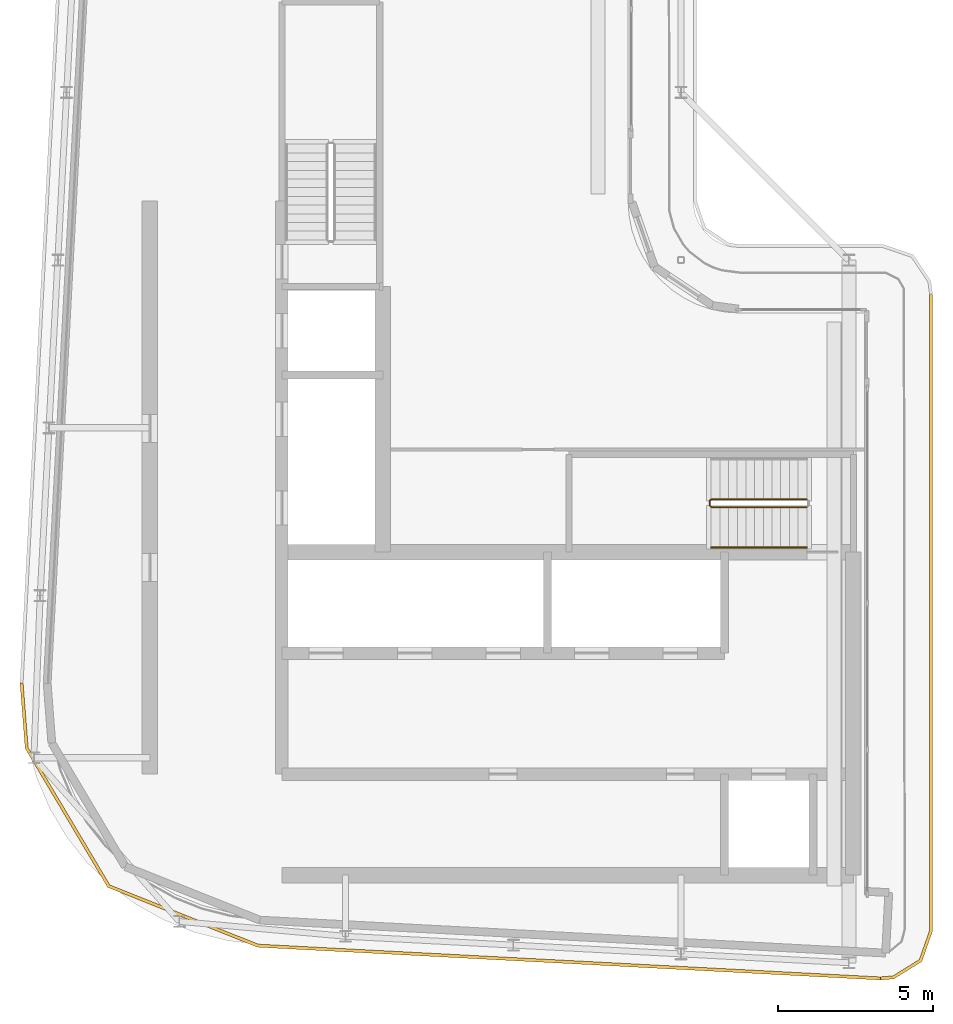
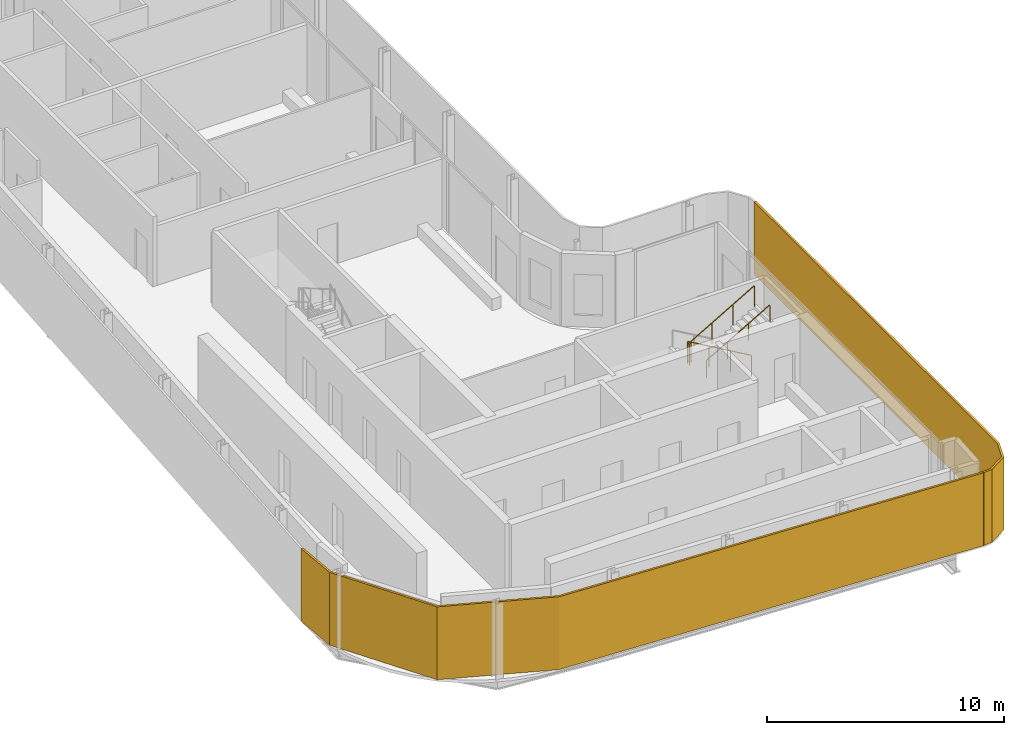
# One storey, part 13 of 18: 2 railings, 2 shading devices.
"""IFC4 building model written with IfcOpenShell, lengths in metres."""

import ifcopenshell
import ifcopenshell.guid

model = None  # the IFC model being written
_history = None  # IfcOwnerHistory: only IFC2X3 demands one
_inside = {}  # id of a spatial element -> (the spatial element, [elements in it])
_under = {}  # id of a project, library or spatial element -> (it, [spatial elements below it])
_declared = {}  # id of a project -> (the project, [libraries it declares])
_typed = {}  # id of a type object -> (the type object, [elements of that type])
_made_of = {}  # id of a material, layer set ... -> (it, [elements and type objects made of it])


def new_model(schema):
    """Start an empty IFC model of exactly this schema.

    Asked for "IFC4X3", IfcOpenShell would pick the latest addendum, in which some entities
    have other attributes; the version numbers below select the first issue.
    IFC2X3 requires an IfcOwnerHistory on every rooted entity: one is made here for all.
    """
    global model, _history
    if schema == "IFC4X3":
        model = ifcopenshell.file(schema_version=(4, 3, 0, 0))
    else:
        model = ifcopenshell.file(schema=schema)
    _inside.clear()
    _under.clear()
    _declared.clear()
    _typed.clear()
    _made_of.clear()
    _history = None
    if model.schema == "IFC2X3":
        org = make("IfcOrganization", Name="unknown")
        user = make(
            "IfcPersonAndOrganization",
            ThePerson=make("IfcPerson", FamilyName="unknown"),
            TheOrganization=org,
        )
        app = make(
            "IfcApplication",
            ApplicationDeveloper=org,
            Version="unknown",
            ApplicationFullName="unknown",
            ApplicationIdentifier="unknown",
        )
        _history = make(
            "IfcOwnerHistory",
            OwningUser=user,
            OwningApplication=app,
            ChangeAction="ADDED",
            CreationDate=0,
        )
    return model


def make(cls, **values):
    """One entity of the class cls with the attributes given. An attribute that is None is left unset."""
    return model.create_entity(
        cls, **{name: value for name, value in values.items() if value is not None}
    )


def rooted(cls, **values):
    """An entity with a GlobalId (a new one), such as an element, a storey or a relation."""
    return make(cls, GlobalId=ifcopenshell.guid.new(), OwnerHistory=_history, **values)


def si_unit(unit_type, name, prefix=None):
    """IfcSIUnit, for example si_unit("LENGTHUNIT", "METRE", prefix="MILLI")."""
    return make("IfcSIUnit", UnitType=unit_type, Prefix=prefix, Name=name)


def assignment(units):
    """IfcUnitAssignment: the units of a project."""
    return None if units is None else make("IfcUnitAssignment", Units=units)


def point(xyz):
    """IfcCartesianPoint."""
    return None if xyz is None else make("IfcCartesianPoint", Coordinates=xyz)


def direction(xyz):
    """IfcDirection."""
    return None if xyz is None else make("IfcDirection", DirectionRatios=xyz)


def frame(location, z_axis=None, x_axis=None):
    """IfcAxis2Placement3D, a coordinate frame: its origin and axes. An axis left out is left unset."""
    return make(
        "IfcAxis2Placement3D",
        Location=point(location),
        Axis=direction(z_axis),
        RefDirection=direction(x_axis),
    )


def frame_2d(location, x_axis=None):
    """IfcAxis2Placement2D, a coordinate frame in the plane: its origin and x axis."""
    return make(
        "IfcAxis2Placement2D", Location=point(location), RefDirection=direction(x_axis)
    )


def origin():
    """The frame at (0, 0, 0) with its axes left unset."""
    return frame((0.0, 0.0, 0.0))


def origin_2d():
    """The frame at (0, 0) in the plane with its x axis left unset."""
    return frame_2d((0.0, 0.0))


def place(relative_to, where):
    """IfcLocalPlacement: puts the frame where relative to a parent placement (None: the world)."""
    return make(
        "IfcLocalPlacement", PlacementRelTo=relative_to, RelativePlacement=where
    )


def context(
    kind, dimensions, precision=None, world=None, true_north=None, identifier=None
):
    """IfcGeometricRepresentationContext, for example the 3D "Model" context."""
    return make(
        "IfcGeometricRepresentationContext",
        ContextIdentifier=identifier,
        ContextType=kind,
        CoordinateSpaceDimension=dimensions,
        Precision=precision,
        WorldCoordinateSystem=world,
        TrueNorth=true_north,
    )


def subcontext(parent, identifier, kind, view, scale=None):
    """IfcGeometricRepresentationSubContext, for example "Body" below "Model"."""
    return make(
        "IfcGeometricRepresentationSubContext",
        ContextIdentifier=identifier,
        ContextType=kind,
        ParentContext=parent,
        TargetScale=scale,
        TargetView=view,
    )


def project(units=None, contexts=None):
    """IfcProject with its units and contexts."""
    return rooted(
        "IfcProject",
        Name="project",
        RepresentationContexts=contexts,
        UnitsInContext=assignment(units),
    )


def spatial(cls, under=None, at=None, **own):
    """A site, building, storey or space (cls), placed at a placement, below another one or the project."""
    s = rooted(cls, ObjectPlacement=at, **own)
    if under is not None:
        _under.setdefault(under.id(), (under, []))[1].append(s)
    return s


def polyline(points):
    """IfcPolyline through the points."""
    return make("IfcPolyline", Points=[point(p) for p in points])


def profile(cls, at=None, kind="AREA", **sizes):
    """A parametric profile (cls). Its sizes go by their IFC names, for example OverallWidth=200.0."""
    return make(cls, ProfileType=kind, Position=at, **sizes)


def circle(**sizes):
    """IfcCircleProfileDef."""
    return profile("IfcCircleProfileDef", **sizes)


def outline(outer, holes=None, kind="AREA"):
    """IfcArbitraryClosedProfileDef: a profile drawn as a closed curve; with holes, ...WithVoids."""
    if holes is None:
        return make("IfcArbitraryClosedProfileDef", ProfileType=kind, OuterCurve=outer)
    return make(
        "IfcArbitraryProfileDefWithVoids",
        ProfileType=kind,
        OuterCurve=outer,
        InnerCurves=holes,
    )


def extrude(swept, where, along, depth):
    """IfcExtrudedAreaSolid: the profile swept, set in the frame where, extruded along a direction by depth."""
    return make(
        "IfcExtrudedAreaSolid",
        SweptArea=swept,
        Position=where,
        ExtrudedDirection=direction(along),
        Depth=depth,
    )


def shape(context_of_items, identifier, shape_type, items):
    """IfcShapeRepresentation: the items that make up one representation, for example the "Body"."""
    return make(
        "IfcShapeRepresentation",
        ContextOfItems=context_of_items,
        RepresentationIdentifier=identifier,
        RepresentationType=shape_type,
        Items=items,
    )


def material(Name=None, Category=None):
    """IfcMaterial."""
    return make("IfcMaterial", Name=Name, Category=Category)


def layer(
    of_material, thickness, ventilated=None, Name=None, Category=None, Priority=None
):
    """IfcMaterialLayer: one layer of a wall or slab, of a material (None: an air gap)."""
    return make(
        "IfcMaterialLayer",
        Material=of_material,
        LayerThickness=thickness,
        IsVentilated=ventilated,
        Name=Name,
        Category=Category,
        Priority=Priority,
    )


def layer_set(layers, Name=None):
    """IfcMaterialLayerSet."""
    return make("IfcMaterialLayerSet", MaterialLayers=layers, LayerSetName=Name)


def made_of(thing, what):
    """Note that an element or type object is made of a material, layer set ...; save() writes the relation."""
    if what is not None:
        _made_of.setdefault(what.id(), (what, []))[1].append(thing)
    return thing


def type_object(cls, material=None, **own):
    """A type object (cls), such as IfcWallType, which elements share."""
    return made_of(rooted(cls, **own), material)


def element(
    cls,
    number,
    at=None,
    inside=None,
    cuts=None,
    type_object=None,
    material=None,
    context=None,
    identifier="Body",
    shape_type=None,
    held_by="IfcProductDefinitionShape",
    body=None,
    shapes=None,
    **own,
):
    """One element of the class cls, such as IfcWall. Its Tag is "e" and its number.

    at: its placement. inside: the storey or other place that contains it. cuts: it is an
    opening in that element (IfcRelVoidsElement). A single representation is given by context,
    identifier, shape_type and body (its items); several are given by shapes. held_by: the class
    of the entity that holds the representations. save() writes the other relations.
    """
    e = rooted(cls, Tag="e%d" % number, ObjectPlacement=at, **own)
    if body is not None:
        shapes = [shape(context, identifier, shape_type, body)]
    if shapes is not None:
        e.Representation = make(held_by, Representations=shapes)
    if inside is not None:
        _inside.setdefault(inside.id(), (inside, []))[1].append(e)
    if cuts is not None:
        rooted(
            "IfcRelVoidsElement", RelatingBuildingElement=cuts, RelatedOpeningElement=e
        )
    if type_object is not None:
        _typed.setdefault(type_object.id(), (type_object, []))[1].append(e)
    return made_of(e, material)


def aggregate(whole, parts):
    """IfcRelAggregates: a whole, such as a stair, and the parts it consists of."""
    return rooted("IfcRelAggregates", RelatingObject=whole, RelatedObjects=parts)


def save(model, path):
    """Write the relations noted so far, then the file.

    IfcRelAggregates (storeys below a building ...), IfcRelContainedInSpatialStructure (elements
    in a storey), IfcRelDefinesByType, IfcRelAssociatesMaterial and IfcRelDeclares: one each for
    every whole, place, type object, material and project.
    """
    for whole, parts in _under.values():
        aggregate(whole, parts)
    for where, things in _inside.values():
        rooted(
            "IfcRelContainedInSpatialStructure",
            RelatedElements=things,
            RelatingStructure=where,
        )
    for kind, things in _typed.values():
        rooted("IfcRelDefinesByType", RelatedObjects=things, RelatingType=kind)
    for what, things in _made_of.values():
        rooted("IfcRelAssociatesMaterial", RelatedObjects=things, RelatingMaterial=what)
    for by, libraries in _declared.values():
        rooted("IfcRelDeclares", RelatingContext=by, RelatedDefinitions=libraries)
    model.write(path)


model = new_model("IFC4")

# Units and contexts
model_context = context("Model", 3, precision=1e-05, world=origin(), true_north=direction((0.0, 1.0)))
body_context = subcontext(model_context, "Body", "Model", "MODEL_VIEW")
ifc_project = project(units=[si_unit("LENGTHUNIT", "METRE"), si_unit("AREAUNIT", "SQUARE_METRE"), si_unit("VOLUMEUNIT", "CUBIC_METRE"), si_unit("PLANEANGLEUNIT", "RADIAN"), si_unit("MASSUNIT", "GRAM", prefix="KILO")], contexts=[model_context])

# Site, building, storey
site_placement = place(None, origin())
site = spatial("IfcSite", under=ifc_project, at=site_placement, CompositionType="ELEMENT")
building_placement = place(site_placement, origin())
building = spatial("IfcBuilding", under=site, at=building_placement, Name="Kheshtan School and Residences Tower", CompositionType="ELEMENT")
storey_placement = place(building_placement, frame((0.0, 0.0, 361.699951171875)))
storey = spatial("IfcBuildingStorey", under=building, at=storey_placement, Name="L85", CompositionType="ELEMENT", Elevation=361.699951171875)

# Shading devices
ifc_material_1 = material(Name="Terracotta baguette, extruded ceramic", Category="masonry")
ifc_layer_1 = layer(ifc_material_1, 0.10009765625)
ifc_layer_set_1 = layer_set([ifc_layer_1], Name="Ledge screen, terracotta baguettes")
shading_device_type_1 = type_object("IfcShadingDeviceType", Name="Ledge screen, terracotta baguettes", PredefinedType="USERDEFINED", material=ifc_layer_set_1)
shading_device_1_placement = place(storey_placement, origin())
element("IfcShadingDevice", 1, at=shading_device_1_placement, inside=storey, type_object=shading_device_type_1, Name="Screen L85 3", ObjectType="BAGUETTE", PredefinedType="USERDEFINED", context=body_context, shape_type="SweptSolid", body=[
    extrude(outline(polyline([(54.02099609375, 22.52490234375), (33.989013671875, 23.580078125), (29.2119140625, 25.486083984375), (26.583984375, 29.906982421875), (26.419921875, 31.989013671875), (26.320068359375, 31.98095703125), (26.486083984375, 29.8759765625), (29.14306640625, 25.406005859375), (33.967041015625, 23.48095703125), (54.01611328125, 22.425048828125), (54.02099609375, 22.52490234375)])), origin(), (0.0, 0.0, 1.0), 3.75),
])
ifc_material_2 = material(Name="Terracotta lattice, extruded ceramic", Category="masonry")
ifc_layer_2 = layer(ifc_material_2, 0.10009765625)
ifc_layer_set_2 = layer_set([ifc_layer_2], Name="Loggia screen, terracotta lattice")
shading_device_type_2 = type_object("IfcShadingDeviceType", Name="Loggia screen, terracotta lattice", PredefinedType="USERDEFINED", material=ifc_layer_set_2)
shading_device_2_placement = place(storey_placement, origin())
element("IfcShadingDevice", 2, at=shading_device_2_placement, inside=storey, type_object=shading_device_type_2, Name="Screen L85 2", ObjectType="SCREEN", PredefinedType="USERDEFINED", context=body_context, shape_type="SweptSolid", body=[
    extrude(outline(polyline([(55.60009765625, 44.5), (55.60009765625, 24.02294921875), (55.27001953125, 23.083984375), (54.424072265625, 22.55908203125), (54.02099609375, 22.52490234375), (54.029052734375, 22.425048828125), (54.4560546875, 22.4609375), (55.35302734375, 23.01806640625), (55.699951171875, 24.006103515625), (55.699951171875, 44.5), (55.60009765625, 44.5)])), origin(), (0.0, 0.0, 1.0), 3.75),
])

# Railings
ifc_material_3 = material(Name="Stainless steel balustrade", Category="steel")
railing_type_1 = type_object("IfcRailingType", Name="Stair guard 1100", PredefinedType="GUARDRAIL", material=ifc_material_3)
railing_1_placement = place(storey_placement, frame((51.64990234375, 37.89990234375, 0.16259765625)))
element("IfcRailing", 3, at=railing_1_placement, inside=storey, type_object=railing_type_1, Name="L85 ST1 stair guard 1", PredefinedType="GUARDRAIL", context=body_context, shape_type="SweptSolid", body=[
    extrude(circle(Radius=0.02392578125, at=origin_2d()), frame((0.0, 0.0, 1.076171875), z_axis=(-0.864903211148, 0.0, 0.501938676878), x_axis=(0.0, -1.0, 0.0)), (0.0, 0.0, 1.0), 3.560791015625),
    extrude(circle(Radius=0.02392578125, at=origin_2d()), frame((-3.079833984375, 0.0, 2.86328125), z_axis=(-0.708833529934, -0.705375805398, 0.0), x_axis=(0.705375805398, -0.708833529934, 0.0)), (0.0, 0.0, 1.0), 0.070556640625),
    extrude(circle(Radius=0.02392578125, at=origin_2d()), frame((-3.1298828125, -0.0498046875, 2.86328125), z_axis=(0.0, -1.0, 0.0), x_axis=(1.0, 0.0, 0.0)), (0.0, 0.0, 1.0), 0.150146484375),
    extrude(circle(Radius=0.02392578125, at=origin_2d()), frame((-3.1298828125, -0.199951171875, 2.86328125), z_axis=(0.282227285176, -0.282227285176, 0.916894497205), x_axis=(0.707106781187, 0.707106781187, 0.0)), (0.0, 0.0, 1.0), 0.17724609375),
    extrude(circle(Radius=0.02392578125, at=origin_2d()), frame((-3.079833984375, -0.25, 3.02587890625), z_axis=(0.864873446163, 0.0, 0.501989962173), x_axis=(0.0, 1.0, 0.0)), (0.0, 0.0, 1.0), 3.56103515625),
    extrude(circle(Radius=0.02099609375, at=origin_2d()), origin(), (0.0, 0.0, 1.0), 1.052001953125),
    extrude(circle(Radius=0.02099609375, at=origin_2d()), frame((-1.026611328125, 0.0, 0.595703125)), (0.0, 0.0, 1.0), 1.052001953125),
    extrude(circle(Radius=0.02099609375, at=origin_2d()), frame((-2.05322265625, 0.0, 1.191650390625)), (0.0, 0.0, 1.0), 1.052001953125),
    extrude(circle(Radius=0.02099609375, at=origin_2d()), frame((-3.079833984375, 0.0, 1.787353515625)), (0.0, 0.0, 1.0), 1.052001953125),
    extrude(circle(Radius=0.02099609375, at=origin_2d()), frame((-3.1298828125, -0.0498046875, 1.787353515625)), (0.0, 0.0, 1.0), 1.052001953125),
    extrude(circle(Radius=0.02099609375, at=origin_2d()), frame((-3.1298828125, -0.199951171875, 1.787353515625)), (0.0, 0.0, 1.0), 1.052001953125),
    extrude(circle(Radius=0.02099609375, at=origin_2d()), frame((-3.079833984375, -0.25, 1.949951171875)), (0.0, 0.0, 1.0), 1.052001953125),
    extrude(circle(Radius=0.02099609375, at=origin_2d()), frame((-2.05322265625, -0.25, 2.5458984375)), (0.0, 0.0, 1.0), 1.052001953125),
    extrude(circle(Radius=0.02099609375, at=origin_2d()), frame((-1.026611328125, -0.25, 3.1416015625)), (0.0, 0.0, 1.0), 1.052001953125),
    extrude(circle(Radius=0.02099609375, at=origin_2d()), frame((0.0, -0.25, 3.737548828125)), (0.0, 0.0, 1.0), 1.052001953125),
])
ifc_material_4 = material(Name="Stainless steel handrail", Category="steel")
railing_type_2 = type_object("IfcRailingType", Name="Stair handrail 900", PredefinedType="HANDRAIL", material=ifc_material_4)
railing_2_placement = place(storey_placement, frame((48.570068359375, 36.35009765625, 2.112548828125)))
element("IfcRailing", 4, at=railing_2_placement, inside=storey, type_object=railing_type_2, Name="L85 ST1 stair handrail 2", PredefinedType="HANDRAIL", context=body_context, shape_type="SweptSolid", body=[
    extrude(circle(Radius=0.02392578125, at=origin_2d()), frame((0.0, 0.0, 0.8759765625), z_axis=(0.864873446163, 0.0, 0.501989962173), x_axis=(0.0, 1.0, 0.0)), (0.0, 0.0, 1.0), 3.56103515625),
    extrude(circle(Radius=0.02099609375, at=origin_2d()), origin(), (0.0, 0.0, 1.0), 0.851806640625),
    extrude(circle(Radius=0.02099609375, at=origin_2d()), frame((1.026611328125, 0.0, 0.595947265625)), (0.0, 0.0, 1.0), 0.851806640625),
    extrude(circle(Radius=0.02099609375, at=origin_2d()), frame((2.05322265625, 0.0, 1.191650390625)), (0.0, 0.0, 1.0), 0.851806640625),
    extrude(circle(Radius=0.02099609375, at=origin_2d()), frame((3.079833984375, 0.0, 1.78759765625)), (0.0, 0.0, 1.0), 0.851806640625),
])

save(model, "model.ifc")
